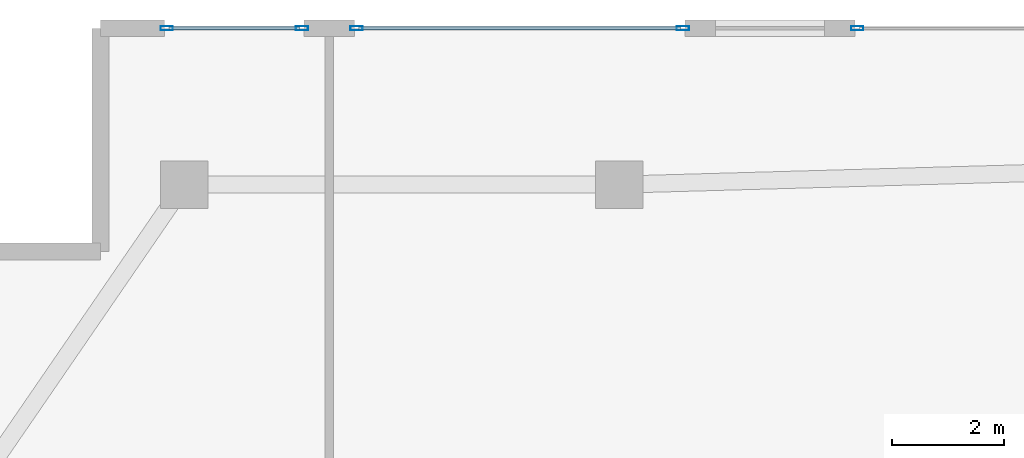
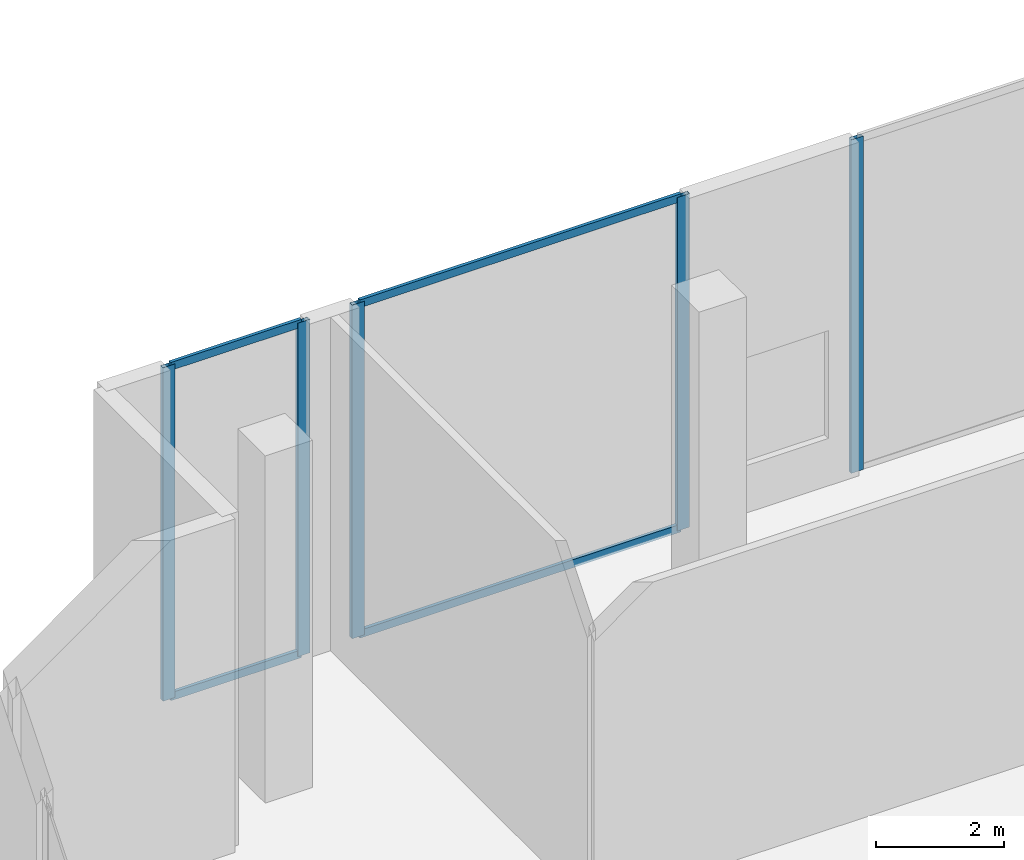
# One storey, part 14 of 30: 9 members, 3 elements without a shape of their own.
"""IFC4 building model written with IfcOpenShell, lengths in metres."""

from ifc_helpers import new_model, si_unit, direction, frame, origin, origin_2d, place, context, subcontext, project, spatial, hollow_rectangle, extrude, material, layer, layer_set, material_profile, profile_set, type_object, element, aggregate, save


model = new_model("IFC4")

# Units and contexts
model_context = context("Model", 3, precision=1e-05, world=origin(), true_north=direction((0.0, 1.0)))
body_context = subcontext(model_context, "Body", "Model", "MODEL_VIEW")
ifc_project = project(units=[si_unit("LENGTHUNIT", "METRE"), si_unit("AREAUNIT", "SQUARE_METRE"), si_unit("VOLUMEUNIT", "CUBIC_METRE"), si_unit("PLANEANGLEUNIT", "RADIAN"), si_unit("MASSUNIT", "GRAM", prefix="KILO")], contexts=[model_context])

# Site, building, storey
site_placement = place(None, origin())
site = spatial("IfcSite", under=ifc_project, at=site_placement, CompositionType="ELEMENT")
building_placement = place(site_placement, origin())
building = spatial("IfcBuilding", under=site, at=building_placement, Name="Zuhayl Quay Hotel", CompositionType="ELEMENT")
storey_placement = place(building_placement, frame((0.0, 0.0, 11.39990234375)))
storey = spatial("IfcBuildingStorey", under=building, at=storey_placement, Name="L02", CompositionType="ELEMENT", Elevation=11.39990234375)

# Curtain wall, members
ifc_material_1 = material(Name="Anodised Aluminium 6063-T6", Category="aluminium")
ifc_layer = layer(ifc_material_1, 0.199951171875, Name="Anodised Aluminium 6063-T6", Category="aluminium")
ifc_layer_set = layer_set([ifc_layer], Name="Anodised Aluminium 6063-T6")
curtain_wall_type = type_object("IfcCurtainWallType", Name="CW_SYS_POD", PredefinedType="USERDEFINED", material=ifc_layer_set)
curtain_wall_1_placement = place(storey_placement, origin())
curtain_wall_1 = element("IfcCurtainWall", 1, at=curtain_wall_1_placement, inside=storey, type_object=curtain_wall_type, Name="L02 Curtain Wall ENV_L02_E05_CW1", ObjectType="UNITISED CURTAIN WALL", PredefinedType="USERDEFINED")
ifc_material_2 = material(Name="Black-anodised aluminium 6063-T6", Category="aluminium")
ifc_material_profile_1 = material_profile(ifc_material_2, hollow_rectangle(XDim=0.074951171875, YDim=0.219970703125, WallThickness=0.00390625, at=origin_2d()), Name="ALU220X75")
ifc_profile_set_1 = profile_set([ifc_material_profile_1], Name="Black-anodised aluminium 6063-T6")
member_type_1 = type_object("IfcMemberType", Name="MB_CW_MUL_220", PredefinedType="MULLION", material=ifc_profile_set_1)
member_1_placement = place(storey_placement, frame((-30.8125, 25.0, 0.0), z_axis=(0.0, 0.0, 1.0), x_axis=(0.0, 1.0, 0.0)))
member_1 = element("IfcMember", 2, at=member_1_placement, type_object=member_type_1, Name="CW-POD mullion 1", PredefinedType="MULLION", context=body_context, shape_type="SweptSolid", body=[
    extrude(hollow_rectangle(XDim=0.074951171875, YDim=0.219970703125, WallThickness=0.00390625, at=origin_2d()), origin(), (0.0, 0.0, 1.0), 6.340087890625),
])
member_2_placement = place(storey_placement, frame((-28.387451171875, 25.0, 0.0), z_axis=(0.0, 0.0, 1.0), x_axis=(0.0, 1.0, 0.0)))
member_2 = element("IfcMember", 3, at=member_2_placement, type_object=member_type_1, Name="CW-POD mullion 2", PredefinedType="MULLION", context=body_context, shape_type="SweptSolid", body=[
    extrude(hollow_rectangle(XDim=0.074951171875, YDim=0.219970703125, WallThickness=0.00390625, at=origin_2d()), origin(), (0.0, 0.0, 1.0), 6.340087890625),
])

curtain_wall_2_placement = place(storey_placement, origin())
curtain_wall_2 = element("IfcCurtainWall", 4, at=curtain_wall_2_placement, inside=storey, type_object=curtain_wall_type, Name="L02 Curtain Wall ENV_L02_E05_CW2", ObjectType="UNITISED CURTAIN WALL", PredefinedType="USERDEFINED")
member_3_placement = place(storey_placement, frame((-27.41259765625, 25.0, 0.0), z_axis=(0.0, 0.0, 1.0), x_axis=(0.0, 1.0, 0.0)))
member_3 = element("IfcMember", 5, at=member_3_placement, type_object=member_type_1, Name="CW-POD mullion 1", PredefinedType="MULLION", context=body_context, shape_type="SweptSolid", body=[
    extrude(hollow_rectangle(XDim=0.074951171875, YDim=0.219970703125, WallThickness=0.00390625, at=origin_2d()), origin(), (0.0, 0.0, 1.0), 6.340087890625),
])
member_4_placement = place(storey_placement, frame((-21.5625, 25.0, 0.0), z_axis=(0.0, 0.0, 1.0), x_axis=(0.0, 1.0, 0.0)))
member_4 = element("IfcMember", 6, at=member_4_placement, type_object=member_type_1, Name="CW-POD mullion 2", PredefinedType="MULLION", context=body_context, shape_type="SweptSolid", body=[
    extrude(hollow_rectangle(XDim=0.074951171875, YDim=0.219970703125, WallThickness=0.00390625, at=origin_2d()), origin(), (0.0, 0.0, 1.0), 6.340087890625),
])

# Curtain wall, member
curtain_wall_3_placement = place(storey_placement, origin())
curtain_wall_3 = element("IfcCurtainWall", 7, at=curtain_wall_3_placement, inside=storey, type_object=curtain_wall_type, Name="L02 Curtain Wall ENV_L02_E05_CW3", ObjectType="UNITISED CURTAIN WALL", PredefinedType="USERDEFINED")
member_5_placement = place(storey_placement, frame((-18.4375, 25.0, 0.0), z_axis=(0.0, 0.0, 1.0), x_axis=(0.0, 1.0, 0.0)))
member_5 = element("IfcMember", 8, at=member_5_placement, type_object=member_type_1, Name="CW-POD mullion 1", PredefinedType="MULLION", context=body_context, shape_type="SweptSolid", body=[
    extrude(hollow_rectangle(XDim=0.074951171875, YDim=0.219970703125, WallThickness=0.00390625, at=origin_2d()), origin(), (0.0, 0.0, 1.0), 6.340087890625),
])
aggregate(curtain_wall_3, [member_5])

# Member
ifc_material_profile_2 = material_profile(ifc_material_2, hollow_rectangle(XDim=0.06005859375, YDim=0.14990234375, WallThickness=0.00341796875, at=origin_2d()), Name="ALU150X60")
ifc_profile_set_2 = profile_set([ifc_material_profile_2], Name="Black-anodised aluminium 6063-T6")
member_type_2 = type_object("IfcMemberType", Name="MB_CW_TRN_150", PredefinedType="USERDEFINED", material=ifc_profile_set_2)
member_6_placement = place(storey_placement, frame((-30.77490234375, 25.0, 0.030029296875), z_axis=(1.0, 0.0, 0.0), x_axis=(0.0, 1.0, 0.0)))
member_6 = element("IfcMember", 9, at=member_6_placement, type_object=member_type_2, Name="CW-POD transom 1.1", ObjectType="TRANSOM", PredefinedType="USERDEFINED", context=body_context, shape_type="SweptSolid", body=[
    extrude(hollow_rectangle(XDim=0.06005859375, YDim=0.14990234375, WallThickness=0.00341796875, at=origin_2d()), origin(), (0.0, 0.0, 1.0), 2.349853515625),
])

member_7_placement = place(storey_placement, frame((-30.77490234375, 25.0, 6.31005859375), z_axis=(1.0, 0.0, 0.0), x_axis=(0.0, 1.0, 0.0)))
member_7 = element("IfcMember", 10, at=member_7_placement, type_object=member_type_2, Name="CW-POD transom 1.2", ObjectType="TRANSOM", PredefinedType="USERDEFINED", context=body_context, shape_type="SweptSolid", body=[
    extrude(hollow_rectangle(XDim=0.06005859375, YDim=0.14990234375, WallThickness=0.00341796875, at=origin_2d()), origin(), (0.0, 0.0, 1.0), 2.349853515625),
])

aggregate(curtain_wall_1, [member_1, member_2, member_6, member_7])

member_8_placement = place(storey_placement, frame((-27.375, 25.0, 0.030029296875), z_axis=(1.0, 0.0, 0.0), x_axis=(0.0, 1.0, 0.0)))
member_8 = element("IfcMember", 11, at=member_8_placement, type_object=member_type_2, Name="CW-POD transom 1.1", ObjectType="TRANSOM", PredefinedType="USERDEFINED", context=body_context, shape_type="SweptSolid", body=[
    extrude(hollow_rectangle(XDim=0.06005859375, YDim=0.14990234375, WallThickness=0.00341796875, at=origin_2d()), origin(), (0.0, 0.0, 1.0), 5.77490234375),
])

member_9_placement = place(storey_placement, frame((-27.375, 25.0, 6.31005859375), z_axis=(1.0, 0.0, 0.0), x_axis=(0.0, 1.0, 0.0)))
member_9 = element("IfcMember", 12, at=member_9_placement, type_object=member_type_2, Name="CW-POD transom 1.2", ObjectType="TRANSOM", PredefinedType="USERDEFINED", context=body_context, shape_type="SweptSolid", body=[
    extrude(hollow_rectangle(XDim=0.06005859375, YDim=0.14990234375, WallThickness=0.00341796875, at=origin_2d()), origin(), (0.0, 0.0, 1.0), 5.77490234375),
])

aggregate(curtain_wall_2, [member_3, member_4, member_8, member_9])

save(model, "model.ifc")
